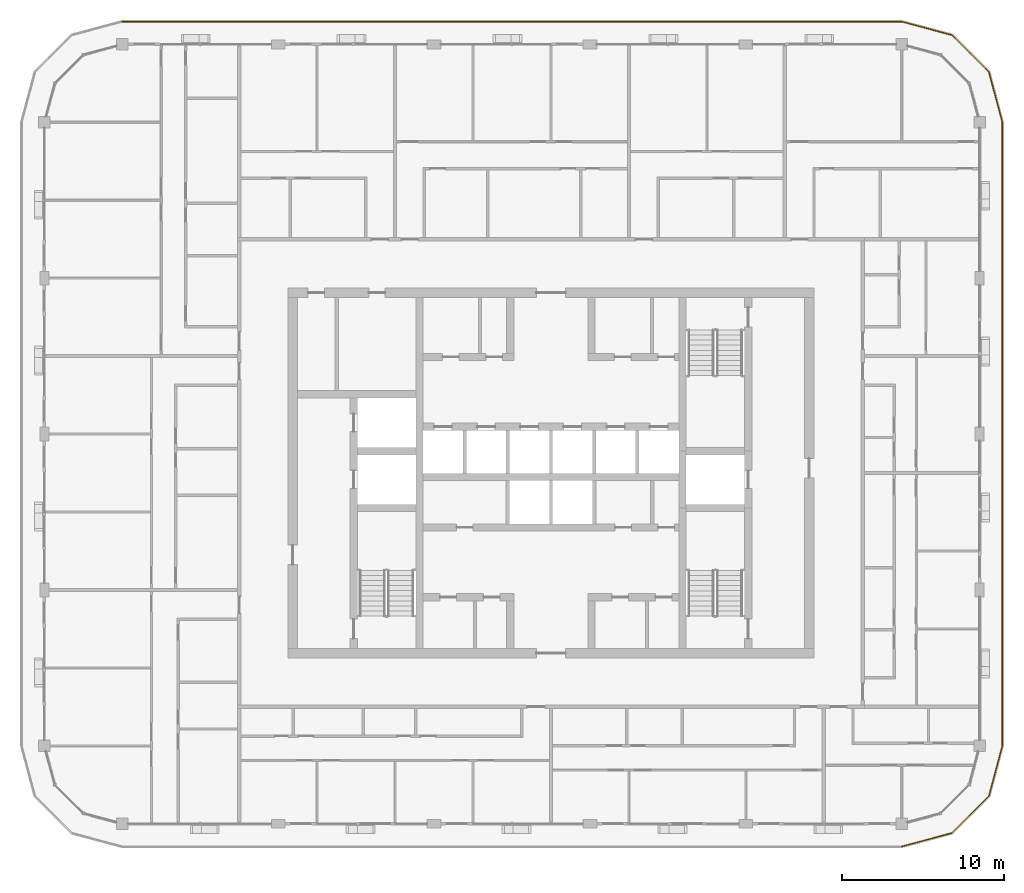
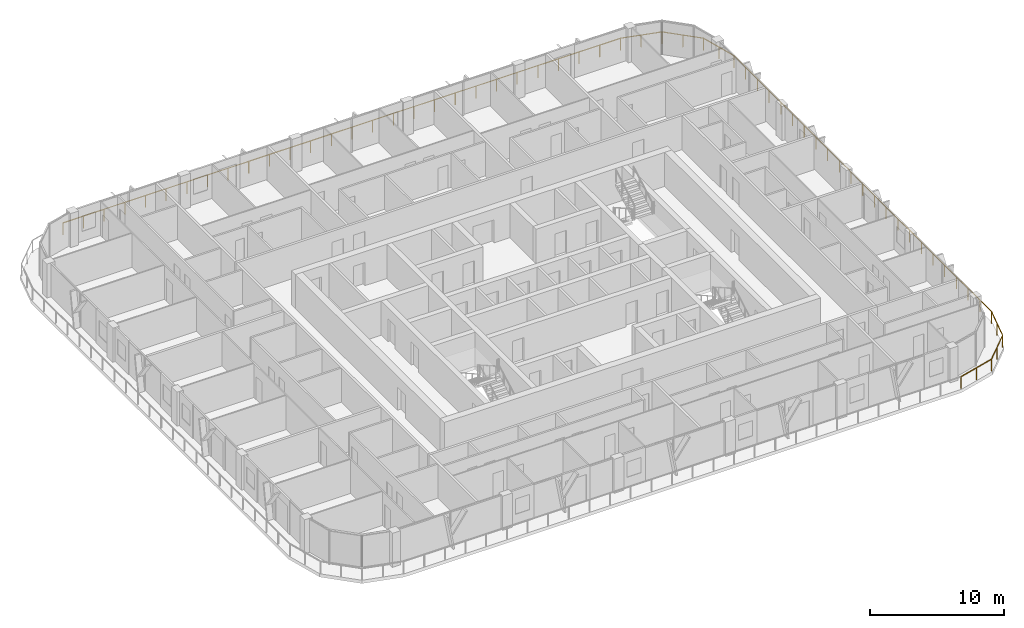
# One storey, part 20 of 22: 1 railing.
"""IFC4 building model written with IfcOpenShell, lengths in metres."""

from ifc_helpers import new_model, si_unit, direction, frame, origin, origin_2d, place, context, subcontext, project, spatial, circle, extrude, material, type_object, element, save


model = new_model("IFC4")

# Units and contexts
model_context = context("Model", 3, precision=1e-05, world=origin(), true_north=direction((0.0, 1.0)))
body_context = subcontext(model_context, "Body", "Model", "MODEL_VIEW")
ifc_project = project(units=[si_unit("LENGTHUNIT", "METRE"), si_unit("AREAUNIT", "SQUARE_METRE"), si_unit("VOLUMEUNIT", "CUBIC_METRE"), si_unit("PLANEANGLEUNIT", "RADIAN"), si_unit("MASSUNIT", "GRAM", prefix="KILO")], contexts=[model_context])

# Site, building, storey
site_placement = place(None, origin())
site = spatial("IfcSite", under=ifc_project, at=site_placement, CompositionType="ELEMENT")
building_placement = place(site_placement, origin())
building = spatial("IfcBuilding", under=site, at=building_placement, Name="Madar Terraces", CompositionType="ELEMENT")
storey_placement = place(building_placement, frame((0.0, 0.0, 259.699951171875)))
storey = spatial("IfcBuildingStorey", under=building, at=storey_placement, Name="L68", CompositionType="ELEMENT", Elevation=259.699951171875)

# Railing
ifc_material = material(Name="Glass, safety glazing, with stainless steel posts", Category="steel")
railing_type = type_object("IfcRailingType", Name="Balcony glass guard 1100", PredefinedType="GUARDRAIL", material=ifc_material)
railing_placement = place(storey_placement, frame((52.800048828125, 3.39990234375, 0.0)))
element("IfcRailing", 1, at=railing_placement, inside=storey, type_object=railing_type, Name="Balcony guard", PredefinedType="GUARDRAIL", context=body_context, shape_type="SweptSolid", body=[
    extrude(circle(Radius=0.02392578125, at=origin_2d()), frame((0.0, 0.0, 1.076171875), z_axis=(0.965909675762, 0.25887931217, 0.0), x_axis=(-0.25887931217, 0.965909675762, 0.0)), (0.0, 0.0, 1.0), 3.209228515625),
    extrude(circle(Radius=0.02392578125, at=origin_2d()), frame((3.099853515625, 0.830810546875, 1.076171875), z_axis=(0.707144815061, 0.707068745266, 0.0), x_axis=(-0.707068745266, 0.707144815061, 0.0)), (0.0, 0.0, 1.0), 3.20947265625),
    extrude(circle(Radius=0.02392578125, at=origin_2d()), frame((5.369384765625, 3.10009765625, 1.076171875), z_axis=(0.258789317819, 0.9659337912, 0.0), x_axis=(-0.9659337912, 0.258789317819, 0.0)), (0.0, 0.0, 1.0), 3.20947265625),
    extrude(circle(Radius=0.02392578125, at=origin_2d()), frame((6.199951171875, 6.2001953125, 1.076171875), z_axis=(0.0, 1.0, 0.0), x_axis=(-1.0, 0.0, 0.0)), (0.0, 0.0, 1.0), 38.39990234375),
    extrude(circle(Radius=0.02392578125, at=origin_2d()), frame((6.199951171875, 44.60009765625, 1.076171875), z_axis=(-0.258789317819, 0.9659337912, 0.0), x_axis=(-0.9659337912, -0.258789317819, 0.0)), (0.0, 0.0, 1.0), 3.20947265625),
    extrude(circle(Radius=0.02392578125, at=origin_2d()), frame((5.369384765625, 47.7001953125, 1.076171875), z_axis=(-0.707144815061, 0.707068745266, 0.0), x_axis=(-0.707068745266, -0.707144815061, 0.0)), (0.0, 0.0, 1.0), 3.20947265625),
    extrude(circle(Radius=0.02392578125, at=origin_2d()), frame((3.099853515625, 49.969482421875, 1.076171875), z_axis=(-0.965928696102, 0.258808334578, 0.0), x_axis=(-0.258808334578, -0.965928696102, 0.0)), (0.0, 0.0, 1.0), 3.209228515625),
    extrude(circle(Radius=0.02392578125, at=origin_2d()), frame((0.0, 50.800048828125, 1.076171875), z_axis=(-1.0, 0.0, 0.0), x_axis=(0.0, -1.0, 0.0)), (0.0, 0.0, 1.0), 48.0),
    extrude(circle(Radius=0.02099609375, at=origin_2d()), origin(), (0.0, 0.0, 1.0), 1.052001953125),
    extrude(circle(Radius=0.02099609375, at=origin_2d()), frame((1.5498046875, 0.41552734375, 0.0)), (0.0, 0.0, 1.0), 1.052001953125),
    extrude(circle(Radius=0.02099609375, at=origin_2d()), frame((3.099853515625, 0.830810546875, 0.0)), (0.0, 0.0, 1.0), 1.052001953125),
    extrude(circle(Radius=0.02099609375, at=origin_2d()), frame((4.234619140625, 1.96533203125, 0.0)), (0.0, 0.0, 1.0), 1.052001953125),
    extrude(circle(Radius=0.02099609375, at=origin_2d()), frame((5.369384765625, 3.10009765625, 0.0)), (0.0, 0.0, 1.0), 1.052001953125),
    extrude(circle(Radius=0.02099609375, at=origin_2d()), frame((5.78466796875, 4.650146484375, 0.0)), (0.0, 0.0, 1.0), 1.052001953125),
    extrude(circle(Radius=0.02099609375, at=origin_2d()), frame((6.199951171875, 6.2001953125, 0.0)), (0.0, 0.0, 1.0), 1.052001953125),
    extrude(circle(Radius=0.02099609375, at=origin_2d()), frame((6.199951171875, 7.945556640625, 0.0)), (0.0, 0.0, 1.0), 1.052001953125),
    extrude(circle(Radius=0.02099609375, at=origin_2d()), frame((6.199951171875, 9.691162109375, 0.0)), (0.0, 0.0, 1.0), 1.052001953125),
    extrude(circle(Radius=0.02099609375, at=origin_2d()), frame((6.199951171875, 11.4365234375, 0.0)), (0.0, 0.0, 1.0), 1.052001953125),
    extrude(circle(Radius=0.02099609375, at=origin_2d()), frame((6.199951171875, 13.181884765625, 0.0)), (0.0, 0.0, 1.0), 1.052001953125),
    extrude(circle(Radius=0.02099609375, at=origin_2d()), frame((6.199951171875, 14.927490234375, 0.0)), (0.0, 0.0, 1.0), 1.052001953125),
    extrude(circle(Radius=0.02099609375, at=origin_2d()), frame((6.199951171875, 16.6728515625, 0.0)), (0.0, 0.0, 1.0), 1.052001953125),
    extrude(circle(Radius=0.02099609375, at=origin_2d()), frame((6.199951171875, 18.41845703125, 0.0)), (0.0, 0.0, 1.0), 1.052001953125),
    extrude(circle(Radius=0.02099609375, at=origin_2d()), frame((6.199951171875, 20.163818359375, 0.0)), (0.0, 0.0, 1.0), 1.052001953125),
    extrude(circle(Radius=0.02099609375, at=origin_2d()), frame((6.199951171875, 21.9091796875, 0.0)), (0.0, 0.0, 1.0), 1.052001953125),
    extrude(circle(Radius=0.02099609375, at=origin_2d()), frame((6.199951171875, 23.65478515625, 0.0)), (0.0, 0.0, 1.0), 1.052001953125),
    extrude(circle(Radius=0.02099609375, at=origin_2d()), frame((6.199951171875, 25.400146484375, 0.0)), (0.0, 0.0, 1.0), 1.052001953125),
    extrude(circle(Radius=0.02099609375, at=origin_2d()), frame((6.199951171875, 27.1455078125, 0.0)), (0.0, 0.0, 1.0), 1.052001953125),
    extrude(circle(Radius=0.02099609375, at=origin_2d()), frame((6.199951171875, 28.89111328125, 0.0)), (0.0, 0.0, 1.0), 1.052001953125),
    extrude(circle(Radius=0.02099609375, at=origin_2d()), frame((6.199951171875, 30.636474609375, 0.0)), (0.0, 0.0, 1.0), 1.052001953125),
    extrude(circle(Radius=0.02099609375, at=origin_2d()), frame((6.199951171875, 32.3818359375, 0.0)), (0.0, 0.0, 1.0), 1.052001953125),
    extrude(circle(Radius=0.02099609375, at=origin_2d()), frame((6.199951171875, 34.12744140625, 0.0)), (0.0, 0.0, 1.0), 1.052001953125),
    extrude(circle(Radius=0.02099609375, at=origin_2d()), frame((6.199951171875, 35.872802734375, 0.0)), (0.0, 0.0, 1.0), 1.052001953125),
    extrude(circle(Radius=0.02099609375, at=origin_2d()), frame((6.199951171875, 37.618408203125, 0.0)), (0.0, 0.0, 1.0), 1.052001953125),
    extrude(circle(Radius=0.02099609375, at=origin_2d()), frame((6.199951171875, 39.36376953125, 0.0)), (0.0, 0.0, 1.0), 1.052001953125),
    extrude(circle(Radius=0.02099609375, at=origin_2d()), frame((6.199951171875, 41.109130859375, 0.0)), (0.0, 0.0, 1.0), 1.052001953125),
    extrude(circle(Radius=0.02099609375, at=origin_2d()), frame((6.199951171875, 42.854736328125, 0.0)), (0.0, 0.0, 1.0), 1.052001953125),
    extrude(circle(Radius=0.02099609375, at=origin_2d()), frame((6.199951171875, 44.60009765625, 0.0)), (0.0, 0.0, 1.0), 1.052001953125),
    extrude(circle(Radius=0.02099609375, at=origin_2d()), frame((5.78466796875, 46.150146484375, 0.0)), (0.0, 0.0, 1.0), 1.052001953125),
    extrude(circle(Radius=0.02099609375, at=origin_2d()), frame((5.369384765625, 47.7001953125, 0.0)), (0.0, 0.0, 1.0), 1.052001953125),
    extrude(circle(Radius=0.02099609375, at=origin_2d()), frame((4.234619140625, 48.8349609375, 0.0)), (0.0, 0.0, 1.0), 1.052001953125),
    extrude(circle(Radius=0.02099609375, at=origin_2d()), frame((3.099853515625, 49.969482421875, 0.0)), (0.0, 0.0, 1.0), 1.052001953125),
    extrude(circle(Radius=0.02099609375, at=origin_2d()), frame((1.5498046875, 50.384765625, 0.0)), (0.0, 0.0, 1.0), 1.052001953125),
    extrude(circle(Radius=0.02099609375, at=origin_2d()), frame((0.0, 50.800048828125, 0.0)), (0.0, 0.0, 1.0), 1.052001953125),
    extrude(circle(Radius=0.02099609375, at=origin_2d()), frame((-1.77783203125, 50.800048828125, 0.0)), (0.0, 0.0, 1.0), 1.052001953125),
    extrude(circle(Radius=0.02099609375, at=origin_2d()), frame((-3.5556640625, 50.800048828125, 0.0)), (0.0, 0.0, 1.0), 1.052001953125),
    extrude(circle(Radius=0.02099609375, at=origin_2d()), frame((-5.333251953125, 50.800048828125, 0.0)), (0.0, 0.0, 1.0), 1.052001953125),
    extrude(circle(Radius=0.02099609375, at=origin_2d()), frame((-7.111083984375, 50.800048828125, 0.0)), (0.0, 0.0, 1.0), 1.052001953125),
    extrude(circle(Radius=0.02099609375, at=origin_2d()), frame((-8.888916015625, 50.800048828125, 0.0)), (0.0, 0.0, 1.0), 1.052001953125),
    extrude(circle(Radius=0.02099609375, at=origin_2d()), frame((-10.666748046875, 50.800048828125, 0.0)), (0.0, 0.0, 1.0), 1.052001953125),
    extrude(circle(Radius=0.02099609375, at=origin_2d()), frame((-12.4443359375, 50.800048828125, 0.0)), (0.0, 0.0, 1.0), 1.052001953125),
    extrude(circle(Radius=0.02099609375, at=origin_2d()), frame((-14.22216796875, 50.800048828125, 0.0)), (0.0, 0.0, 1.0), 1.052001953125),
    extrude(circle(Radius=0.02099609375, at=origin_2d()), frame((-16.0, 50.800048828125, 0.0)), (0.0, 0.0, 1.0), 1.052001953125),
    extrude(circle(Radius=0.02099609375, at=origin_2d()), frame((-17.77783203125, 50.800048828125, 0.0)), (0.0, 0.0, 1.0), 1.052001953125),
    extrude(circle(Radius=0.02099609375, at=origin_2d()), frame((-19.5556640625, 50.800048828125, 0.0)), (0.0, 0.0, 1.0), 1.052001953125),
    extrude(circle(Radius=0.02099609375, at=origin_2d()), frame((-21.333251953125, 50.800048828125, 0.0)), (0.0, 0.0, 1.0), 1.052001953125),
    extrude(circle(Radius=0.02099609375, at=origin_2d()), frame((-23.111083984375, 50.800048828125, 0.0)), (0.0, 0.0, 1.0), 1.052001953125),
    extrude(circle(Radius=0.02099609375, at=origin_2d()), frame((-24.888916015625, 50.800048828125, 0.0)), (0.0, 0.0, 1.0), 1.052001953125),
    extrude(circle(Radius=0.02099609375, at=origin_2d()), frame((-26.666748046875, 50.800048828125, 0.0)), (0.0, 0.0, 1.0), 1.052001953125),
    extrude(circle(Radius=0.02099609375, at=origin_2d()), frame((-28.4443359375, 50.800048828125, 0.0)), (0.0, 0.0, 1.0), 1.052001953125),
    extrude(circle(Radius=0.02099609375, at=origin_2d()), frame((-30.22216796875, 50.800048828125, 0.0)), (0.0, 0.0, 1.0), 1.052001953125),
    extrude(circle(Radius=0.02099609375, at=origin_2d()), frame((-32.0, 50.800048828125, 0.0)), (0.0, 0.0, 1.0), 1.052001953125),
    extrude(circle(Radius=0.02099609375, at=origin_2d()), frame((-33.77783203125, 50.800048828125, 0.0)), (0.0, 0.0, 1.0), 1.052001953125),
    extrude(circle(Radius=0.02099609375, at=origin_2d()), frame((-35.5556640625, 50.800048828125, 0.0)), (0.0, 0.0, 1.0), 1.052001953125),
    extrude(circle(Radius=0.02099609375, at=origin_2d()), frame((-37.333251953125, 50.800048828125, 0.0)), (0.0, 0.0, 1.0), 1.052001953125),
    extrude(circle(Radius=0.02099609375, at=origin_2d()), frame((-39.111083984375, 50.800048828125, 0.0)), (0.0, 0.0, 1.0), 1.052001953125),
    extrude(circle(Radius=0.02099609375, at=origin_2d()), frame((-40.888916015625, 50.800048828125, 0.0)), (0.0, 0.0, 1.0), 1.052001953125),
    extrude(circle(Radius=0.02099609375, at=origin_2d()), frame((-42.666748046875, 50.800048828125, 0.0)), (0.0, 0.0, 1.0), 1.052001953125),
    extrude(circle(Radius=0.02099609375, at=origin_2d()), frame((-44.4443359375, 50.800048828125, 0.0)), (0.0, 0.0, 1.0), 1.052001953125),
    extrude(circle(Radius=0.02099609375, at=origin_2d()), frame((-46.22216796875, 50.800048828125, 0.0)), (0.0, 0.0, 1.0), 1.052001953125),
    extrude(circle(Radius=0.02099609375, at=origin_2d()), frame((-48.0, 50.800048828125, 0.0)), (0.0, 0.0, 1.0), 1.052001953125),
])

save(model, "model.ifc")
